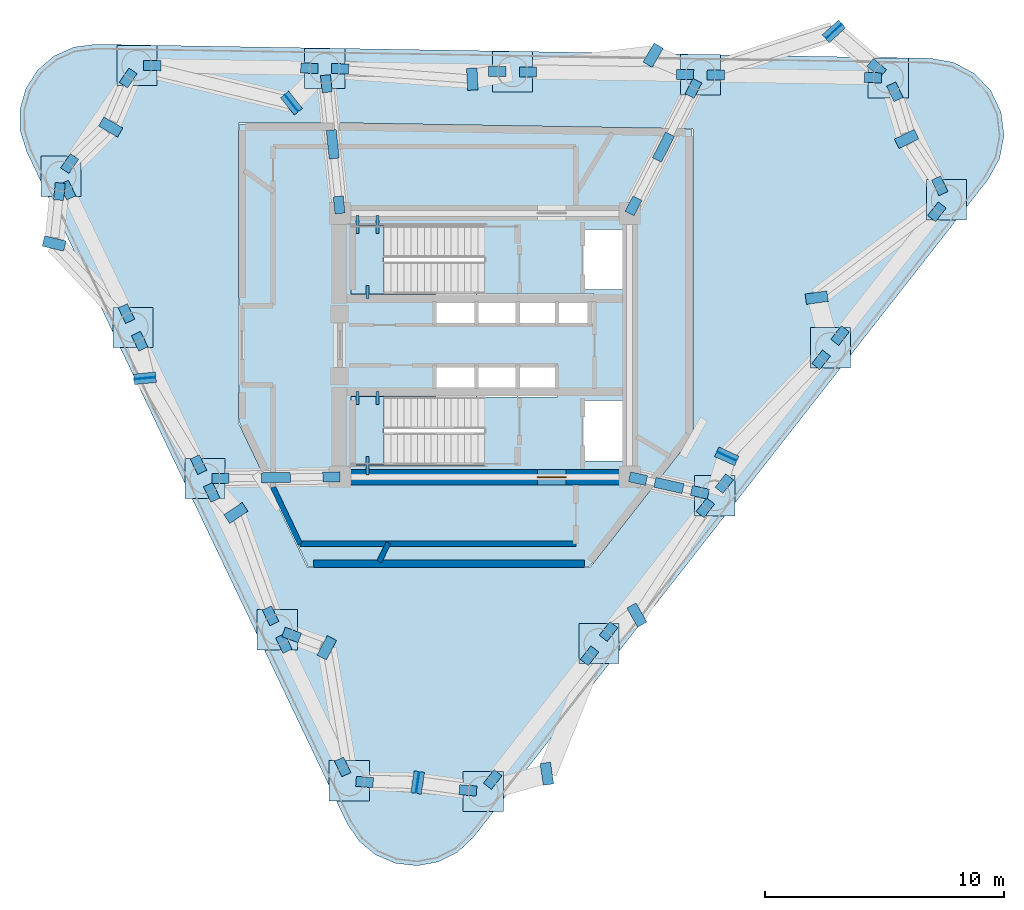
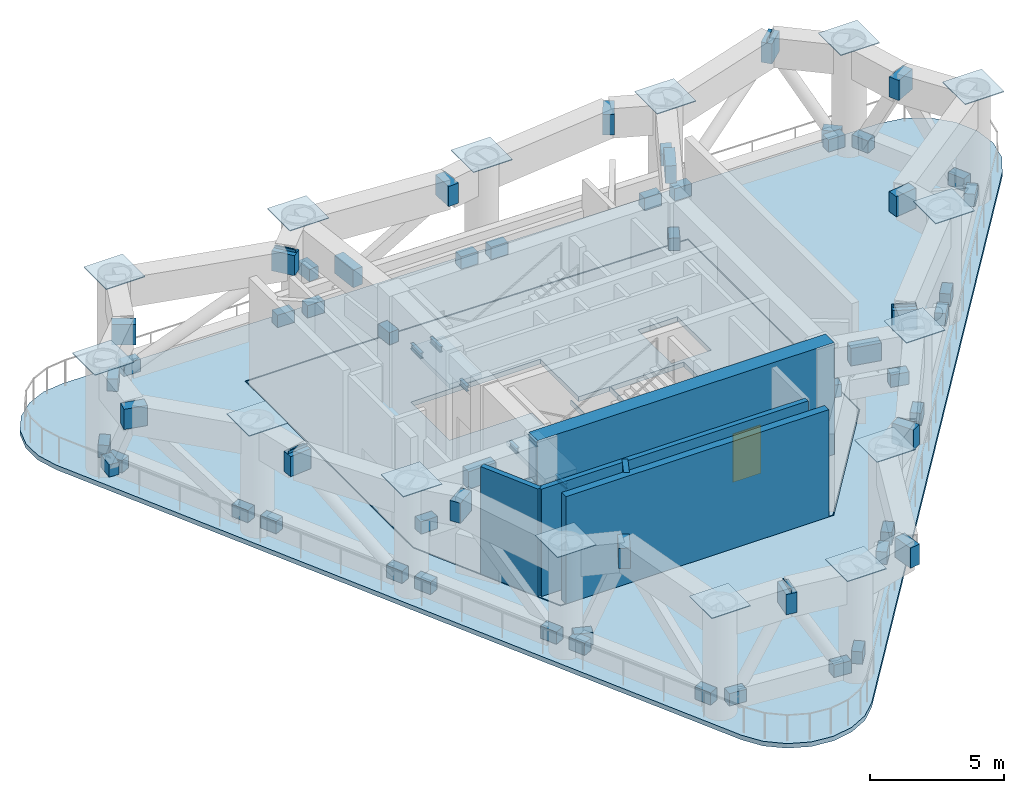
# One storey, part 3 of 9: 80 plates, 6 beams, 5 walls, 4 slabs, 1 door, 1 opening, 2 elements without a shape of their own.
"""IFC4 building model written with IfcOpenShell, lengths in metres."""

from ifc_helpers import new_model, si_unit, direction, frame, frame_2d, origin, origin_2d, place, context, subcontext, project, spatial, polyline, rectangle, i_section, outline, extrude, source, transform, mapped, material, layer, layer_set, material_profile, profile_set, type_object, element, fill, aggregate, save


model = new_model("IFC4")

# Units and contexts
model_context = context("Model", 3, precision=1e-05, world=origin(), true_north=direction((0.0, 1.0)))
body_context = subcontext(model_context, "Body", "Model", "MODEL_VIEW")
ifc_project = project(units=[si_unit("LENGTHUNIT", "METRE"), si_unit("AREAUNIT", "SQUARE_METRE"), si_unit("VOLUMEUNIT", "CUBIC_METRE"), si_unit("PLANEANGLEUNIT", "RADIAN"), si_unit("MASSUNIT", "GRAM", prefix="KILO")], contexts=[model_context])

# Site, building, storey
site_placement = place(None, origin())
site = spatial("IfcSite", under=ifc_project, at=site_placement, CompositionType="ELEMENT")
building_placement = place(site_placement, origin())
building = spatial("IfcBuilding", under=site, at=building_placement, Name="Yunling Apex Tower", CompositionType="ELEMENT")
storey_placement = place(building_placement, frame((0.0, 0.0, 153.64990234375)))
storey = spatial("IfcBuildingStorey", under=building, at=storey_placement, Name="RF4", CompositionType="ELEMENT", Elevation=153.64990234375)

# Beams
ifc_material_1 = material(Name="Steel Q355B", Category="steel")
ifc_material_profile = material_profile(ifc_material_1, i_section(OverallWidth=0.125, OverallDepth=0.25, WebThickness=0.006103515625, FlangeThickness=0.009033203125, FilletRadius=0.011962890625, at=origin_2d()))
ifc_profile_set = profile_set([ifc_material_profile], Name="Steel Q355B")
beam_type = type_object("IfcBeamType", Name="BL-LNT-1", PredefinedType="LINTEL", material=ifc_profile_set)
shared_shape_1 = source(origin(), body_context, "Body", "SweptSolid", [
    extrude(i_section(OverallWidth=0.125, OverallDepth=0.25, WebThickness=0.006103515625, FlangeThickness=0.009033203125, FilletRadius=0.011962890625, at=origin_2d()), origin(), (0.0, 0.0, 1.0), 0.760009765625),
])
for number, where, z_axis, x_axis, name in (
    (1, (-5.320068359375, 5.419921875, 2.22998046875), (0.0, -1.0, 0.0), (1.0, 0.0, 0.0), "RF4 ST-1 Landing Bearing Corbel 1-1"),
    (2, (-4.489990234375, 5.419921875, 2.22998046875), (0.0, -1.0, 0.0), (1.0, 0.0, 0.0), "RF4 ST-1 Landing Bearing Corbel 1-2"),
    (3, (-4.905029296875, -5.419921875, 2.22998046875), (0.0, 1.0, 0.0), (-1.0, 0.0, 0.0), "RF4 ST-2 Landing Bearing Corbel 1-3"),
):
    element("IfcBeam", number, at=place(storey_placement, frame(where, z_axis=z_axis, x_axis=x_axis)), inside=storey, type_object=beam_type, Name=name, PredefinedType="LINTEL", context=body_context, shape_type="MappedRepresentation", body=[
        mapped(shared_shape_1, transform((0.0, 0.0, 0.0), scale=1.0)),
    ])
shared_shape_2 = source(origin(), body_context, "Body", "SweptSolid", [
    extrude(i_section(OverallWidth=0.125, OverallDepth=0.25, WebThickness=0.006103515625, FlangeThickness=0.009033203125, FilletRadius=0.011962890625, at=origin_2d()), origin(), (0.0, 0.0, 1.0), 0.550048828125),
])
for number, where, z_axis, x_axis, name in (
    (4, (-4.905029296875, 1.93994140625, 2.22998046875), (0.0, 1.0, 0.0), (-1.0, 0.0, 0.0), "RF4 ST-1 Landing Bearing Corbel 1-3"),
    (5, (-5.320068359375, -1.93994140625, 2.22998046875), (0.0, -1.0, 0.0), (1.0, 0.0, 0.0), "RF4 ST-2 Landing Bearing Corbel 1-1"),
    (6, (-4.489990234375, -1.93994140625, 2.22998046875), (0.0, -1.0, 0.0), (1.0, 0.0, 0.0), "RF4 ST-2 Landing Bearing Corbel 1-2"),
):
    element("IfcBeam", number, at=place(storey_placement, frame(where, z_axis=z_axis, x_axis=x_axis)), inside=storey, type_object=beam_type, Name=name, PredefinedType="LINTEL", context=body_context, shape_type="MappedRepresentation", body=[
        mapped(shared_shape_2, transform((0.0, 0.0, 0.0), scale=1.0)),
    ])

# Stair, slab
ifc_material_2 = material(Name="Concrete C40", Category="concrete")
stair_type = type_object("IfcStairType", Name="ST-TWR-1", PredefinedType="HALF_TURN_STAIR", material=ifc_material_2)
stair_1_placement = place(storey_placement, origin())
stair_1 = element("IfcStair", 7, at=stair_1_placement, inside=storey, type_object=stair_type, Name="RF4 North Core Smokeproof Exit Stair ST-1", PredefinedType="HALF_TURN_STAIR")
ifc_layer_1 = layer(ifc_material_2, 0.195068359375)
ifc_layer_set_1 = layer_set([ifc_layer_1], Name="Concrete C40")
slab_type_1 = type_object("IfcSlabType", Name="SL-LND-1", PredefinedType="LANDING", material=ifc_layer_set_1)
slab_1_placement = place(storey_placement, frame((0.0, 0.0, 2.35498046875)))
slab_1 = element("IfcSlab", 8, at=slab_1_placement, type_object=slab_type_1, Name="ST-1 landing 1", PredefinedType="LANDING", context=body_context, shape_type="SweptSolid", body=[
    extrude(outline(polyline([(-4.2099609375, 5.010009765625), (-5.60009765625, 5.010009765625), (-5.60009765625, 2.139892578125), (-4.2099609375, 2.139892578125), (-4.2099609375, 5.010009765625)])), origin(), (0.0, 0.0, 1.0), 0.195068359375),
])
aggregate(stair_1, [slab_1])

stair_2_placement = place(storey_placement, origin())
stair_2 = element("IfcStair", 9, at=stair_2_placement, inside=storey, type_object=stair_type, Name="RF4 South Core Smokeproof Exit Stair ST-2", PredefinedType="HALF_TURN_STAIR")
slab_2_placement = place(storey_placement, frame((0.0, 0.0, 2.35498046875)))
slab_2 = element("IfcSlab", 10, at=slab_2_placement, type_object=slab_type_1, Name="ST-2 landing 1", PredefinedType="LANDING", context=body_context, shape_type="SweptSolid", body=[
    extrude(outline(polyline([(-4.2099609375, -2.139892578125), (-5.60009765625, -2.139892578125), (-5.60009765625, -5.010009765625), (-4.2099609375, -5.010009765625), (-4.2099609375, -2.139892578125)])), origin(), (0.0, 0.0, 1.0), 0.195068359375),
])
aggregate(stair_2, [slab_2])

# Slabs
ifc_layer_2 = layer(ifc_material_2, 0.219970703125)
ifc_layer_set_2 = layer_set([ifc_layer_2], Name="Concrete C40")
slab_type_2 = type_object("IfcSlabType", Name="SL-RFG-1", PredefinedType="FLOOR", material=ifc_layer_set_2)
slab_3_placement = place(storey_placement, frame((0.0, 0.0, -0.219970703125)))
element("IfcSlab", 11, at=slab_3_placement, inside=storey, type_object=slab_type_2, Name="RF4 Mechanical & Belt-Truss Interior Slab", PredefinedType="FLOOR", context=body_context, shape_type="SweptSolid", body=[
    extrude(outline(polyline([(8.64990234375, 9.0009765625), (-6.206787109375, 9.25), (-10.25, 9.25), (-10.25, -3.239990234375), (-7.38330078125, -9.25), (4.373779296875, -9.25), (8.64990234375, -3.784423828125), (8.64990234375, 9.0009765625)]), holes=[polyline([(5.81005859375, -2.320068359375), (5.81005859375, -4.840087890625), (4.090087890625, -4.840087890625), (4.090087890625, -2.320068359375), (5.81005859375, -2.320068359375)]), polyline([(5.81005859375, 4.840087890625), (5.81005859375, 2.320068359375), (4.090087890625, 2.320068359375), (4.090087890625, 4.840087890625), (5.81005859375, 4.840087890625)]), polyline([(4.534912109375, 0.794921875), (1.364990234375, 0.794921875), (1.364990234375, 2.1650390625), (4.534912109375, 2.1650390625), (4.534912109375, 0.794921875)]), polyline([(3.034912109375, -0.794921875), (3.034912109375, -2.1650390625), (1.364990234375, -2.1650390625), (1.364990234375, -0.794921875), (3.034912109375, -0.794921875)]), polyline([(-2.034912109375, -0.794921875), (-0.364990234375, -0.794921875), (-0.364990234375, -2.139892578125), (-0.3349609375, -2.139892578125), (-0.3349609375, -0.794921875), (1.3349609375, -0.794921875), (1.3349609375, -2.1650390625), (-0.010009765625, -2.1650390625), (-0.010009765625, -5.010009765625), (-5.60009765625, -5.010009765625), (-5.60009765625, -2.139892578125), (-2.034912109375, -2.139892578125), (-2.034912109375, -0.794921875)]), polyline([(-5.60009765625, 2.139892578125), (-5.60009765625, 5.010009765625), (-0.010009765625, 5.010009765625), (-0.010009765625, 2.1650390625), (1.3349609375, 2.1650390625), (1.3349609375, 0.794921875), (-0.3349609375, 0.794921875), (-0.3349609375, 2.139892578125), (-0.364990234375, 2.139892578125), (-0.364990234375, 0.794921875), (-2.034912109375, 0.794921875), (-2.034912109375, 2.139892578125), (-5.60009765625, 2.139892578125)])]), origin(), (0.0, 0.0, 1.0), 0.219970703125),
])
ifc_layer_3 = layer(ifc_material_2, 0.2099609375)
ifc_layer_set_3 = layer_set([ifc_layer_3], Name="Concrete C40")
slab_type_3 = type_object("IfcSlabType", Name="SL-RFG-EXT", PredefinedType="FLOOR", material=ifc_layer_set_3)
slab_4_placement = place(storey_placement, frame((0.0, 0.0, -0.2099609375)))
element("IfcSlab", 12, at=slab_4_placement, inside=storey, type_object=slab_type_3, Name="RF4 Open Refuge Perimeter Terrace Band", PredefinedType="FLOOR", context=body_context, shape_type="SweptSolid", body=[
    extrude(outline(polyline([(-5.759765625, -19.970947265625), (-5.255615234375, -20.723388671875), (-4.55712890625, -21.300048828125), (-3.722900390625, -21.652587890625), (-2.82275390625, -21.75146484375), (-1.931884765625, -21.58837890625), (-1.125, -21.17724609375), (-0.469482421875, -20.55224609375), (21.029541015625, 6.926025390625), (21.5078125, 7.7900390625), (21.693115234375, 8.76025390625), (21.566650390625, 9.73974609375), (21.1416015625, 10.631103515625), (20.459716796875, 11.345703125), (19.58935546875, 11.812255859375), (18.616943359375, 11.984375), (-16.267578125, 12.569091796875), (-17.165771484375, 12.453125), (-17.9931640625, 12.084716796875), (-18.680419921875, 11.4951171875), (-19.170166015625, 10.733154296875), (-19.421142578125, 9.86279296875), (-19.41259765625, 8.957275390625), (-19.14501953125, 8.092041015625), (-5.759765625, -19.970947265625)]), holes=[polyline([(4.393310546875, -9.2900390625), (-7.40869140625, -9.2900390625), (-10.2900390625, -3.2490234375), (-10.2900390625, 9.2900390625), (-6.206298828125, 9.2900390625), (8.68994140625, 9.040283203125), (8.68994140625, -3.79833984375), (4.393310546875, -9.2900390625)])]), origin(), (0.0, 0.0, 1.0), 0.2099609375),
])

# Plates
ifc_layer_4 = layer(ifc_material_1, 0.030029296875)
ifc_layer_set_4 = layer_set([ifc_layer_4], Name="Steel Q355B")
plate_type_1 = type_object("IfcPlateType", Name="NP-CAP-1", PredefinedType="USERDEFINED", material=ifc_layer_set_4)
shared_shape_3 = source(origin(), body_context, "Body", "SweptSolid", [
    extrude(rectangle(XDim=1.679931640625, YDim=1.679931640625, at=origin_2d()), origin(), (0.0, 0.0, 1.0), 0.035888671875),
])
for number, where, z_axis, x_axis, name in (
    (13, (-0.06396484375, -18.654541015625, 4.9970703125), (0.0, 0.0, 1.0), (1.0, 0.0, 0.0), "RF4 Lower-Block CFST Column Top Cap Plate P01"),
    (14, (4.773193359375, -12.471923828125, 4.9970703125), (0.0, 0.0, 1.0), (1.0, 0.0, 0.0), "RF4 Lower-Block CFST Column Top Cap Plate P02"),
    (15, (9.610595703125, -6.289306640625, 4.9970703125), (0.0, 0.0, 1.0), (1.0, 0.0, 0.0), "RF4 Lower-Block CFST Column Top Cap Plate P03"),
    (16, (14.447998046875, -0.106689453125, 4.9970703125), (0.0, 0.0, 1.0), (1.0, 0.0, 0.0), "RF4 Lower-Block CFST Column Top Cap Plate P04"),
    (17, (19.28515625, 6.075927734375, 4.9970703125), (0.0, 0.0, 1.0), (1.0, 0.0, 0.0), "RF4 Lower-Block CFST Column Top Cap Plate P05"),
    (18, (16.8583984375, 11.163818359375, 4.9970703125), (0.0, 0.0, 1.0), (1.0, 0.0, 0.0), "RF4 Lower-Block CFST Column Top Cap Plate P06"),
    (19, (9.009521484375, 11.295166015625, 4.9970703125), (0.0, 0.0, 1.0), (1.0, 0.0, 0.0), "RF4 Lower-Block CFST Column Top Cap Plate P07"),
    (20, (1.160400390625, 11.4267578125, 4.9970703125), (0.0, 0.0, 1.0), (1.0, 0.0, 0.0), "RF4 Lower-Block CFST Column Top Cap Plate P08"),
    (21, (-6.6884765625, 11.558349609375, 4.9970703125), (0.0, 0.0, 1.0), (1.0, 0.0, 0.0), "RF4 Lower-Block CFST Column Top Cap Plate P09"),
    (22, (-14.53759765625, 11.68994140625, 4.9970703125), (0.0, 0.0, 1.0), (1.0, 0.0, 0.0), "RF4 Lower-Block CFST Column Top Cap Plate P10"),
    (23, (-17.70849609375, 7.0546875, 4.9970703125), (0.0, 0.0, 1.0), (1.0, 0.0, 0.0), "RF4 Lower-Block CFST Column Top Cap Plate P11"),
    (24, (-14.69677734375, 0.740478515625, 4.9970703125), (0.0, 0.0, 1.0), (1.0, 0.0, 0.0), "RF4 Lower-Block CFST Column Top Cap Plate P12"),
    (25, (-11.685302734375, -5.573486328125, 4.9970703125), (0.0, 0.0, 1.0), (1.0, 0.0, 0.0), "RF4 Lower-Block CFST Column Top Cap Plate P13"),
    (26, (-8.673583984375, -11.8876953125, 4.9970703125), (0.0, 0.0, 1.0), (1.0, 0.0, 0.0), "RF4 Lower-Block CFST Column Top Cap Plate P14"),
    (27, (-5.661865234375, -18.201904296875, 4.9970703125), (0.0, 0.0, 1.0), (1.0, 0.0, 0.0), "RF4 Lower-Block CFST Column Top Cap Plate P15"),
):
    element("IfcPlate", number, at=place(storey_placement, frame(where, z_axis=z_axis, x_axis=x_axis)), inside=storey, type_object=plate_type_1, Name=name, ObjectType="CAP_PLATE", PredefinedType="USERDEFINED", context=body_context, shape_type="MappedRepresentation", body=[
        mapped(shared_shape_3, transform((0.0, 0.0, 0.0), scale=1.0)),
    ])
ifc_layer_5 = layer(ifc_material_1, 0.035888671875)
ifc_layer_set_5 = layer_set([ifc_layer_5], Name="Steel Q355B")
plate_type_2 = type_object("IfcPlateType", Name="NP-GUS-1", PredefinedType="USERDEFINED", material=ifc_layer_set_5)
shared_shape_4 = source(origin(), body_context, "Body", "SweptSolid", [
    extrude(rectangle(XDim=0.719970703125, YDim=0.419921875, at=origin_2d()), origin(), (0.0, 0.0, 1.0), 0.56005859375),
])
for number, where, z_axis, x_axis, name in (
    (28, (0.33154296875, -18.14892578125, 0.27001953125), (0.0, 0.0, 1.0), (0.616211460536, 0.787580748815, 0.0), "RF4 Belt Chord End Gusset Plate 139"),
    (29, (4.377685546875, -12.9775390625, 0.27001953125), (0.0, 0.0, 1.0), (0.616211460536, 0.787580748815, 0.0), "RF4 Belt Chord End Gusset Plate 140"),
    (30, (5.1689453125, -11.96630859375, 0.27001953125), (0.0, 0.0, 1.0), (0.616211460536, 0.787580748815, 0.0), "RF4 Belt Chord End Gusset Plate 141"),
    (31, (9.215087890625, -6.794921875, 0.27001953125), (0.0, 0.0, 1.0), (0.616211460536, 0.787580748815, 0.0), "RF4 Belt Chord End Gusset Plate 142"),
    (32, (10.006103515625, -5.78369140625, 0.27001953125), (0.0, 0.0, 1.0), (0.616211460536, 0.787580748815, 0.0), "RF4 Belt Chord End Gusset Plate 143"),
    (33, (14.05224609375, -0.6123046875, 0.27001953125), (0.0, 0.0, 1.0), (0.616211460536, 0.787580748815, 0.0), "RF4 Belt Chord End Gusset Plate 144"),
    (34, (14.843505859375, 0.39892578125, 0.27001953125), (0.0, 0.0, 1.0), (0.616211460536, 0.787580748815, 0.0), "RF4 Belt Chord End Gusset Plate 145"),
    (35, (18.8896484375, 5.5703125, 0.27001953125), (0.0, 0.0, 1.0), (0.616211460536, 0.787580748815, 0.0), "RF4 Belt Chord End Gusset Plate 146"),
    (36, (19.0087890625, 6.655517578125, 0.27001953125), (0.0, 0.0, 1.0), (-0.430511096808, 0.90258528435, 0.0), "RF4 Belt Chord End Gusset Plate 147"),
    (37, (17.134765625, 10.584228515625, 0.27001953125), (0.0, 0.0, 1.0), (-0.430511096808, 0.90258528435, 0.0), "RF4 Belt Chord End Gusset Plate 148"),
    (38, (16.216552734375, 11.174560546875, 0.27001953125), (0.0, 0.0, 1.0), (-0.999859635577, 0.016754376869, 0.0), "RF4 Belt Chord End Gusset Plate 149"),
    (39, (9.6513671875, 11.284423828125, 0.27001953125), (0.0, 0.0, 1.0), (-0.999859635577, 0.016754376869, 0.0), "RF4 Belt Chord End Gusset Plate 150"),
    (40, (8.367431640625, 11.305908203125, 0.27001953125), (0.0, 0.0, 1.0), (-0.999859635577, 0.016754376869, 0.0), "RF4 Belt Chord End Gusset Plate 151"),
    (41, (1.802490234375, 11.416015625, 0.27001953125), (0.0, 0.0, 1.0), (-0.999859635577, 0.016754376869, 0.0), "RF4 Belt Chord End Gusset Plate 152"),
    (42, (0.5185546875, 11.4375, 0.27001953125), (0.0, 0.0, 1.0), (-0.999859635577, 0.016754376869, 0.0), "RF4 Belt Chord End Gusset Plate 153"),
    (43, (-6.046630859375, 11.547607421875, 0.27001953125), (0.0, 0.0, 1.0), (-0.999859635577, 0.016754376869, 0.0), "RF4 Belt Chord End Gusset Plate 154"),
    (44, (-7.330322265625, 11.569091796875, 0.27001953125), (0.0, 0.0, 1.0), (-0.999859635577, 0.016754376869, 0.0), "RF4 Belt Chord End Gusset Plate 155"),
    (45, (-13.8955078125, 11.67919921875, 0.27001953125), (0.0, 0.0, 1.0), (-0.999859635577, 0.016754376869, 0.0), "RF4 Belt Chord End Gusset Plate 156"),
    (46, (-14.89990234375, 11.16015625, 0.27001953125), (0.0, 0.0, 1.0), (-0.564678950066, -0.825310658693, 0.0), "RF4 Belt Chord End Gusset Plate 157"),
    (47, (-17.345947265625, 7.584716796875, 0.27001953125), (0.0, 0.0, 1.0), (-0.564678950066, -0.825310658693, 0.0), "RF4 Belt Chord End Gusset Plate 158"),
    (48, (-17.43212890625, 6.475341796875, 0.27001953125), (0.0, 0.0, 1.0), (0.430511096808, -0.90258528435, 0.0), "RF4 Belt Chord End Gusset Plate 159"),
    (49, (-14.97314453125, 1.320068359375, 0.27001953125), (0.0, 0.0, 1.0), (0.430511096808, -0.90258528435, 0.0), "RF4 Belt Chord End Gusset Plate 160"),
    (50, (-14.42041015625, 0.1611328125, 0.27001953125), (0.0, 0.0, 1.0), (0.430511096808, -0.90258528435, 0.0), "RF4 Belt Chord End Gusset Plate 161"),
    (51, (-11.961669921875, -4.994140625, 0.27001953125), (0.0, 0.0, 1.0), (0.430511096808, -0.90258528435, 0.0), "RF4 Belt Chord End Gusset Plate 162"),
    (52, (-11.40869140625, -6.153076171875, 0.27001953125), (0.0, 0.0, 1.0), (0.430511096808, -0.90258528435, 0.0), "RF4 Belt Chord End Gusset Plate 163"),
    (53, (-8.949951171875, -11.30810546875, 0.27001953125), (0.0, 0.0, 1.0), (0.430511096808, -0.90258528435, 0.0), "RF4 Belt Chord End Gusset Plate 164"),
    (54, (-8.397216796875, -12.46728515625, 0.27001953125), (0.0, 0.0, 1.0), (0.430511096808, -0.90258528435, 0.0), "RF4 Belt Chord End Gusset Plate 165"),
    (55, (-5.938232421875, -17.622314453125, 0.27001953125), (0.0, 0.0, 1.0), (0.430511096808, -0.90258528435, 0.0), "RF4 Belt Chord End Gusset Plate 166"),
    (56, (-5.02197265625, -18.253662109375, 0.27001953125), (0.0, 0.0, 1.0), (0.996750823024, -0.080546860903, 0.0), "RF4 Belt Chord End Gusset Plate 167"),
    (57, (-0.703857421875, -18.602783203125, 0.27001953125), (0.0, 0.0, 1.0), (0.996750823024, -0.080546860903, 0.0), "RF4 Belt Chord End Gusset Plate 168"),
    (58, (16.372802734375, 11.58056640625, 0.27001953125), (0.0, 0.0, 1.0), (-0.758703110659, 0.651436558597, 0.0), "RF4 Belt Diagonal Foot Gusset Plate 169"),
    (59, (-17.7734375, 6.418212890625, 0.27001953125), (0.0, 0.0, 1.0), (-0.1014035699, -0.994845372916, 0.0), "RF4 Belt Diagonal Foot Gusset Plate 170"),
    (60, (-8.072509765625, -12.107421875, 0.27001953125), (0.0, 0.0, 1.0), (0.939214154743, -0.343331867922, 0.0), "RF4 Belt Diagonal Foot Gusset Plate 171"),
):
    element("IfcPlate", number, at=place(storey_placement, frame(where, z_axis=z_axis, x_axis=x_axis)), inside=storey, type_object=plate_type_2, Name=name, ObjectType="GUSSET_PLATE", PredefinedType="USERDEFINED", context=body_context, shape_type="MappedRepresentation", body=[
        mapped(shared_shape_4, transform((0.0, 0.0, 0.0), scale=1.0)),
    ])
shared_shape_5 = source(origin(), body_context, "Body", "SweptSolid", [
    extrude(rectangle(XDim=0.919921875, YDim=0.43994140625, at=origin_2d()), origin(), (0.0, 0.0, 1.0), 0.919921875),
])
for number, where, z_axis, x_axis, name in (
    (61, (2.5947265625, -17.907958984375, 3.78515625), (0.0, 0.0, 1.0), (0.143319893055, -0.989676415933, 0.0), "RF4 Belt-Truss Node Gusset Plate 1"),
    (62, (6.351806640625, -11.27783203125, 3.78515625), (0.0, 0.0, 1.0), (0.490751690644, -0.871299476719, 0.0), "RF4 Belt-Truss Node Gusset Plate 2"),
    (63, (10.109130859375, -4.64794921875, 3.78515625), (0.0, 0.0, 1.0), (0.908581095252, -0.417708502848, 0.0), "RF4 Belt-Truss Node Gusset Plate 3"),
    (64, (13.8662109375, 1.982177734375, 3.78515625), (0.0, 0.0, 1.0), (0.989949746297, 0.141419587774, 0.0), "RF4 Belt-Truss Node Gusset Plate 4"),
    (65, (17.62353515625, 8.612060546875, 3.78515625), (0.0, 0.0, 1.0), (0.898487786499, 0.438998516526, 0.0), "RF4 Belt-Truss Node Gusset Plate 5"),
    (66, (14.5869140625, 13.114013671875, 3.78515625), (0.0, 0.0, 1.0), (0.743611785628, 0.668611630377, 0.0), "RF4 Belt-Truss Node Gusset Plate 6"),
    (67, (7.0322265625, 12.114013671875, 3.78515625), (0.0, 0.0, 1.0), (0.502114604528, 0.864801089222, 0.0), "RF4 Belt-Truss Node Gusset Plate 7"),
    (68, (-0.5224609375, 11.114013671875, 3.78515625), (0.0, 0.0, 1.0), (-0.046932110821, 0.998898081375, 0.0), "RF4 Belt-Truss Node Gusset Plate 8"),
    (69, (-8.0771484375, 10.1142578125, 3.78515625), (0.0, 0.0, 1.0), (-0.624015988261, 0.781411572985, 0.0), "RF4 Belt-Truss Node Gusset Plate 9"),
    (70, (-15.6318359375, 9.1142578125, 3.78515625), (0.0, 0.0, 1.0), (-0.863923417193, 0.503623201636, 0.0), "RF4 Belt-Truss Node Gusset Plate 10"),
    (71, (-17.9951171875, 4.2451171875, 3.78515625), (0.0, 0.0, 1.0), (-0.973299193131, 0.22954015041, 0.0), "RF4 Belt-Truss Node Gusset Plate 11"),
    (72, (-14.197509765625, -1.384765625, 3.78515625), (0.0, 0.0, 1.0), (-0.995278357843, -0.097061786558, 0.0), "RF4 Belt-Truss Node Gusset Plate 12"),
    (73, (-10.39990234375, -7.014892578125, 3.78515625), (0.0, 0.0, 1.0), (-0.829037572555, -0.559192903471, 0.0), "RF4 Belt-Truss Node Gusset Plate 13"),
    (74, (-6.6025390625, -12.64501953125, 3.78515625), (0.0, 0.0, 1.0), (-0.462831956524, -0.886446038978, 0.0), "RF4 Belt-Truss Node Gusset Plate 14"),
    (75, (-2.804931640625, -18.27490234375, 3.78515625), (0.0, 0.0, 1.0), (-0.151778373678, -0.988414551331, 0.0), "RF4 Belt-Truss Node Gusset Plate 15"),
):
    element("IfcPlate", number, at=place(storey_placement, frame(where, z_axis=z_axis, x_axis=x_axis)), inside=storey, type_object=plate_type_2, Name=name, ObjectType="GUSSET_PLATE", PredefinedType="USERDEFINED", context=body_context, shape_type="MappedRepresentation", body=[
        mapped(shared_shape_5, transform((0.0, 0.0, 0.0), scale=1.0)),
    ])
shared_shape_6 = source(origin(), body_context, "Body", "SweptSolid", [
    extrude(rectangle(XDim=0.85009765625, YDim=0.030029296875, at=origin_2d()), origin(), (0.0, 0.0, 1.0), 0.85009765625),
])
for number, where, z_axis, x_axis, name in (
    (76, (10.109130859375, -4.64794921875, 3.969970703125), (0.0, 0.0, 1.0), (0.908581095252, -0.417708502848, 0.0), "RF4 Box Ring Girder End Cap Plate 3"),
    (77, (14.5869140625, 13.114013671875, 3.969970703125), (0.0, 0.0, 1.0), (0.743611785628, 0.668611630377, 0.0), "RF4 Box Ring Girder End Cap Plate 6"),
    (78, (-8.0771484375, 10.1142578125, 3.969970703125), (0.0, 0.0, 1.0), (-0.624015988261, 0.781411572985, 0.0), "RF4 Box Ring Girder End Cap Plate 9"),
    (79, (-14.197509765625, -1.384765625, 3.969970703125), (0.0, 0.0, 1.0), (-0.995278357843, -0.097061786558, 0.0), "RF4 Box Ring Girder End Cap Plate 12"),
    (80, (-2.804931640625, -18.27490234375, 3.969970703125), (0.0, 0.0, 1.0), (-0.151778373678, -0.988414551331, 0.0), "RF4 Box Ring Girder End Cap Plate 15"),
):
    element("IfcPlate", number, at=place(storey_placement, frame(where, z_axis=z_axis, x_axis=x_axis)), inside=storey, type_object=plate_type_1, Name=name, ObjectType="CAP_PLATE", PredefinedType="USERDEFINED", context=body_context, shape_type="MappedRepresentation", body=[
        mapped(shared_shape_6, transform((0.0, 0.0, 0.0), scale=1.0)),
    ])
ifc_layer_6 = layer(ifc_material_1, 0.031982421875)
ifc_layer_set_6 = layer_set([ifc_layer_6], Name="Steel Q355B")
plate_type_3 = type_object("IfcPlateType", Name="NP-GUS-2", PredefinedType="USERDEFINED", material=ifc_layer_set_6)
shared_shape_7 = source(origin(), body_context, "Body", "SweptSolid", [
    extrude(rectangle(XDim=1.199951171875, YDim=0.419921875, at=origin_2d()), origin(), (0.0, 0.0, 1.0), 0.800048828125),
])
for number, where, z_axis, x_axis, name in (
    (81, (-8.727783203125, -5.534912109375, 3.84521484375), (0.0, 0.0, 1.0), (-0.999914327574, -0.013089595571, 0.0), "RF4 Outrigger Mid-Top Gusset Plate 1"),
    (82, (7.693603515625, -5.8642578125, 3.84521484375), (0.0, 0.0, 1.0), (0.97629600712, -0.216439613938, 0.0), "RF4 Outrigger Mid-Top Gusset Plate 2"),
    (83, (7.466064453125, 8.27294921875, 3.84521484375), (0.0, 0.0, 1.0), (0.454767876649, 0.890610003519, 0.0), "RF4 Outrigger Mid-Top Gusset Plate 3"),
    (84, (-6.3544921875, 8.389892578125, 3.84521484375), (0.0, 0.0, 1.0), (-0.104875610524, 0.994485347462, 0.0), "RF4 Outrigger Mid-Top Gusset Plate 4"),
):
    element("IfcPlate", number, at=place(storey_placement, frame(where, z_axis=z_axis, x_axis=x_axis)), inside=storey, type_object=plate_type_3, Name=name, ObjectType="GUSSET_PLATE", PredefinedType="USERDEFINED", context=body_context, shape_type="MappedRepresentation", body=[
        mapped(shared_shape_7, transform((0.0, 0.0, 0.0), scale=1.0)),
    ])
shared_shape_8 = source(origin(), body_context, "Body", "SweptSolid", [
    extrude(rectangle(XDim=0.719970703125, YDim=0.419921875, at=origin_2d()), origin(), (0.0, 0.0, 1.0), 0.56005859375),
])
for number, where, z_axis, x_axis, name in (
    (85, (-6.409912109375, -5.504638671875, 2.5400390625), (0.0, 0.0, 1.0), (-0.999914327574, -0.013089595571, 0.0), "RF4 Outrigger Core Embed Gusset Plate 172"),
    (86, (-11.04541015625, -5.565185546875, 2.5400390625), (0.0, 0.0, 1.0), (-0.999914327574, -0.013089595571, 0.0), "RF4 Outrigger Column Gusset Plate 173"),
    (87, (6.401611328125, -5.577880859375, 2.5400390625), (0.0, 0.0, 1.0), (0.97629600712, -0.216439613938, 0.0), "RF4 Outrigger Core Embed Gusset Plate 174"),
    (88, (8.98583984375, -6.15087890625, 2.5400390625), (0.0, 0.0, 1.0), (0.97629600712, -0.216439613938, 0.0), "RF4 Outrigger Column Gusset Plate 175"),
    (89, (6.213623046875, 5.820556640625, 2.5400390625), (0.0, 0.0, 1.0), (0.454767876649, 0.890610003519, 0.0), "RF4 Outrigger Core Embed Gusset Plate 176"),
    (90, (8.71826171875, 10.72509765625, 2.5400390625), (0.0, 0.0, 1.0), (0.454767876649, 0.890610003519, 0.0), "RF4 Outrigger Column Gusset Plate 177"),
    (91, (-6.087646484375, 5.85791015625, 2.5400390625), (0.0, 0.0, 1.0), (-0.104875610524, 0.994485347462, 0.0), "RF4 Outrigger Core Embed Gusset Plate 178"),
    (92, (-6.621337890625, 10.921875, 2.5400390625), (0.0, 0.0, 1.0), (-0.104875610524, 0.994485347462, 0.0), "RF4 Outrigger Column Gusset Plate 179"),
):
    element("IfcPlate", number, at=place(storey_placement, frame(where, z_axis=z_axis, x_axis=x_axis)), inside=storey, type_object=plate_type_3, Name=name, ObjectType="GUSSET_PLATE", PredefinedType="USERDEFINED", context=body_context, shape_type="MappedRepresentation", body=[
        mapped(shared_shape_8, transform((0.0, 0.0, 0.0), scale=1.0)),
    ])

# Wall, opening, door
ifc_material_3 = material(Name="Concrete C50", Category="concrete")
ifc_layer_7 = layer(ifc_material_3, 0.64990234375)
ifc_layer_set_7 = layer_set([ifc_layer_7], Name="Concrete C50")
wall_type_1 = type_object("IfcWallType", Name="WL-COR-2", PredefinedType="SHEAR", material=ifc_layer_set_7)
wall_1_placement = place(storey_placement, frame((-6.39990234375, -5.52490234375, 0.0), z_axis=(0.0, 0.0, 1.0), x_axis=(1.0, 0.0, 0.0)))
wall_1 = element("IfcWall", 93, at=wall_1_placement, inside=storey, type_object=wall_type_1, Name="RF4 South Core Shear Wall", PredefinedType="SHEAR", context=body_context, shape_type="SweptSolid", body=[
    extrude(rectangle(XDim=12.7998046875, YDim=0.64990234375, at=frame_2d((6.39990234375, 0.0))), origin(), (0.0, 0.0, 1.0), 5.10009765625),
])
opening_placement = place(wall_1_placement, frame((8.60009765625, 0.0, 0.0)))
opening = element("IfcOpeningElement", 94, at=opening_placement, cuts=wall_1, Name="Opening DR-FFL-1", PredefinedType="OPENING", context=body_context, shape_type="SweptSolid", body=[
    extrude(rectangle(XDim=1.199951171875, YDim=2.199951171875, at=frame_2d((0.60009765625, 1.10009765625))), frame((0.0, 0.3349609375, 0.0), z_axis=(0.0, -1.0, 0.0), x_axis=(1.0, 0.0, 0.0)), (0.0, 0.0, 1.0), 0.669921875),
])
door_type = type_object("IfcDoorType", Name="DR-FFL-1", OperationType="NOTDEFINED", PredefinedType="DOOR", material=ifc_material_1)
door_placement = place(opening_placement, origin())
door = element("IfcDoor", 95, at=door_placement, inside=storey, type_object=door_type, Name="RF4 South Firefighting Lobby Door", OperationType="SINGLE_SWING_RIGHT", OverallHeight=2.199951171875, OverallWidth=1.199951171875, PredefinedType="DOOR", context=body_context, shape_type="SweptSolid", body=[
    extrude(rectangle(XDim=1.199951171875, YDim=2.199951171875, at=frame_2d((0.60009765625, 1.10009765625))), frame((0.0, 0.02490234375, 0.0), z_axis=(0.0, -1.0, 0.0), x_axis=(1.0, 0.0, 0.0)), (0.0, 0.0, 1.0), 0.050048828125),
])
fill(opening, door)

# Walls
ifc_material_4 = material(Name="Precast concrete C40", Category="concrete")
ifc_layer_8 = layer(ifc_material_4, 0.320068359375)
ifc_layer_set_8 = layer_set([ifc_layer_8], Name="Precast concrete C40")
wall_type_2 = type_object("IfcWallType", Name="WL-EXT-1", PredefinedType="SOLIDWALL", material=ifc_layer_set_8)
wall_2_placement = place(storey_placement, frame((4.17529296875, -9.1298828125, 0.0), z_axis=(0.0, 0.0, 1.0), x_axis=(-1.0, 0.0, 0.0)))
element("IfcWall", 96, at=wall_2_placement, inside=storey, type_object=wall_type_2, Name="WL-RF4-IR-02", PredefinedType="SOLIDWALL", context=body_context, shape_type="SweptSolid", body=[
    extrude(rectangle(XDim=11.3427734375, YDim=0.320068359375, at=frame_2d((5.67138671875, 0.0))), origin(), (0.0, 0.0, 1.0), 4.900146484375),
])
ifc_material_5 = material(Name="Autoclaved aerated concrete masonry", Category="masonry")
ifc_layer_9 = layer(ifc_material_5, 0.219970703125)
ifc_layer_set_9 = layer_set([ifc_layer_9], Name="Autoclaved aerated concrete masonry")
wall_type_3 = type_object("IfcWallType", Name="WL-SHF-1", PredefinedType="PLUMBINGWALL", material=ifc_layer_set_9)
wall_3_placement = place(storey_placement, frame((-4.02880859375, -8.260009765625, 0.0), z_axis=(0.0, 0.0, 1.0), x_axis=(-0.438303234839, -0.898827165994, 0.0)))
element("IfcWall", 97, at=wall_3_placement, inside=storey, type_object=wall_type_3, Name="WL-RF4-PDIV-244", PredefinedType="PLUMBINGWALL", context=body_context, shape_type="SweptSolid", body=[
    extrude(rectangle(XDim=0.87890625, YDim=0.219970703125, at=frame_2d((0.439453125, 0.0))), origin(), (0.0, 0.0, 1.0), 4.900146484375),
])
wall_4_placement = place(storey_placement, frame((3.800048828125, -8.300048828125, 0.0), z_axis=(0.0, 0.0, 1.0), x_axis=(-1.0, 0.0, 0.0)))
element("IfcWall", 98, at=wall_4_placement, inside=storey, type_object=wall_type_3, Name="WL-RF4-PCR-02", PredefinedType="PLUMBINGWALL", context=body_context, shape_type="SweptSolid", body=[
    extrude(rectangle(XDim=11.525634765625, YDim=0.219970703125, at=frame_2d((5.7626953125, 0.0))), origin(), (0.0, 0.0, 1.0), 4.900146484375),
])
wall_5_placement = place(storey_placement, frame((-7.7255859375, -8.300048828125, 0.0), z_axis=(0.0, 0.0, 1.0), x_axis=(-0.430572113638, 0.902556178283, 0.0)))
element("IfcWall", 99, at=wall_5_placement, inside=storey, type_object=wall_type_3, Name="WL-RF4-PCR-03", PredefinedType="PLUMBINGWALL", context=body_context, shape_type="SweptSolid", body=[
    extrude(rectangle(XDim=2.611572265625, YDim=0.219970703125, at=frame_2d((1.3056640625, 0.0))), origin(), (0.0, 0.0, 1.0), 4.900146484375),
])

save(model, "model.ifc")
